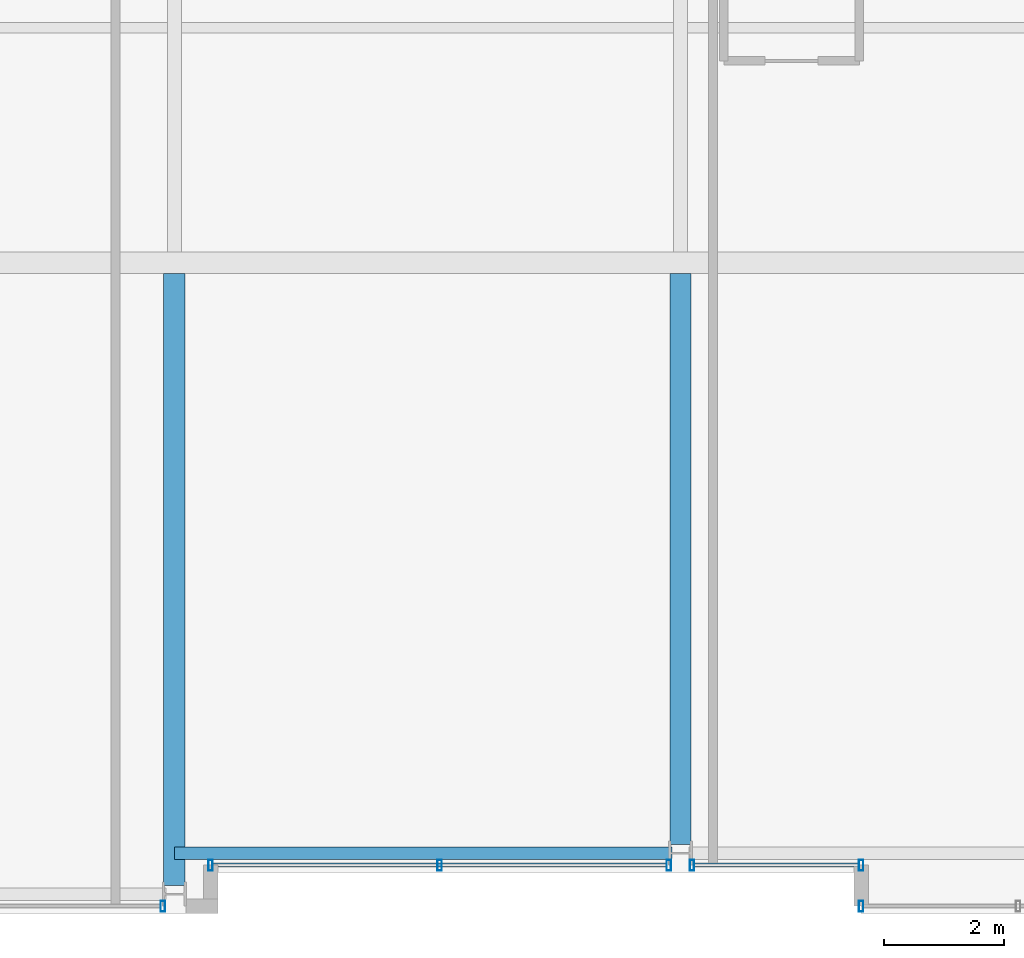
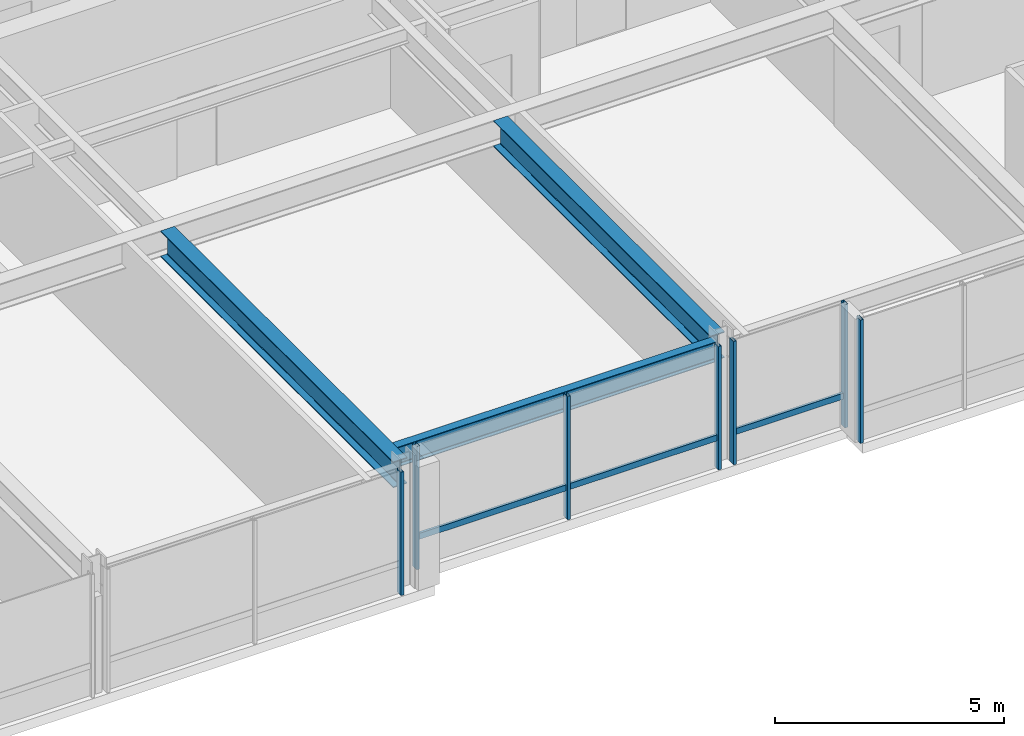
# One storey, part 5 of 31: 9 members, 3 beams, 4 elements without a shape of their own.
"""IFC4 building model written with IfcOpenShell, lengths in metres."""

import ifcopenshell
import ifcopenshell.guid

model = None  # the IFC model being written
_history = None  # IfcOwnerHistory: only IFC2X3 demands one
_inside = {}  # id of a spatial element -> (the spatial element, [elements in it])
_under = {}  # id of a project, library or spatial element -> (it, [spatial elements below it])
_declared = {}  # id of a project -> (the project, [libraries it declares])
_typed = {}  # id of a type object -> (the type object, [elements of that type])
_made_of = {}  # id of a material, layer set ... -> (it, [elements and type objects made of it])


def new_model(schema):
    """Start an empty IFC model of exactly this schema.

    Asked for "IFC4X3", IfcOpenShell would pick the latest addendum, in which some entities
    have other attributes; the version numbers below select the first issue.
    IFC2X3 requires an IfcOwnerHistory on every rooted entity: one is made here for all.
    """
    global model, _history
    if schema == "IFC4X3":
        model = ifcopenshell.file(schema_version=(4, 3, 0, 0))
    else:
        model = ifcopenshell.file(schema=schema)
    _inside.clear()
    _under.clear()
    _declared.clear()
    _typed.clear()
    _made_of.clear()
    _history = None
    if model.schema == "IFC2X3":
        org = make("IfcOrganization", Name="unknown")
        user = make(
            "IfcPersonAndOrganization",
            ThePerson=make("IfcPerson", FamilyName="unknown"),
            TheOrganization=org,
        )
        app = make(
            "IfcApplication",
            ApplicationDeveloper=org,
            Version="unknown",
            ApplicationFullName="unknown",
            ApplicationIdentifier="unknown",
        )
        _history = make(
            "IfcOwnerHistory",
            OwningUser=user,
            OwningApplication=app,
            ChangeAction="ADDED",
            CreationDate=0,
        )
    return model


def make(cls, **values):
    """One entity of the class cls with the attributes given. An attribute that is None is left unset."""
    return model.create_entity(
        cls, **{name: value for name, value in values.items() if value is not None}
    )


def rooted(cls, **values):
    """An entity with a GlobalId (a new one), such as an element, a storey or a relation."""
    return make(cls, GlobalId=ifcopenshell.guid.new(), OwnerHistory=_history, **values)


def si_unit(unit_type, name, prefix=None):
    """IfcSIUnit, for example si_unit("LENGTHUNIT", "METRE", prefix="MILLI")."""
    return make("IfcSIUnit", UnitType=unit_type, Prefix=prefix, Name=name)


def assignment(units):
    """IfcUnitAssignment: the units of a project."""
    return None if units is None else make("IfcUnitAssignment", Units=units)


def point(xyz):
    """IfcCartesianPoint."""
    return None if xyz is None else make("IfcCartesianPoint", Coordinates=xyz)


def direction(xyz):
    """IfcDirection."""
    return None if xyz is None else make("IfcDirection", DirectionRatios=xyz)


def frame(location, z_axis=None, x_axis=None):
    """IfcAxis2Placement3D, a coordinate frame: its origin and axes. An axis left out is left unset."""
    return make(
        "IfcAxis2Placement3D",
        Location=point(location),
        Axis=direction(z_axis),
        RefDirection=direction(x_axis),
    )


def frame_2d(location, x_axis=None):
    """IfcAxis2Placement2D, a coordinate frame in the plane: its origin and x axis."""
    return make(
        "IfcAxis2Placement2D", Location=point(location), RefDirection=direction(x_axis)
    )


def origin():
    """The frame at (0, 0, 0) with its axes left unset."""
    return frame((0.0, 0.0, 0.0))


def origin_2d():
    """The frame at (0, 0) in the plane with its x axis left unset."""
    return frame_2d((0.0, 0.0))


def place(relative_to, where):
    """IfcLocalPlacement: puts the frame where relative to a parent placement (None: the world)."""
    return make(
        "IfcLocalPlacement", PlacementRelTo=relative_to, RelativePlacement=where
    )


def context(
    kind, dimensions, precision=None, world=None, true_north=None, identifier=None
):
    """IfcGeometricRepresentationContext, for example the 3D "Model" context."""
    return make(
        "IfcGeometricRepresentationContext",
        ContextIdentifier=identifier,
        ContextType=kind,
        CoordinateSpaceDimension=dimensions,
        Precision=precision,
        WorldCoordinateSystem=world,
        TrueNorth=true_north,
    )


def subcontext(parent, identifier, kind, view, scale=None):
    """IfcGeometricRepresentationSubContext, for example "Body" below "Model"."""
    return make(
        "IfcGeometricRepresentationSubContext",
        ContextIdentifier=identifier,
        ContextType=kind,
        ParentContext=parent,
        TargetScale=scale,
        TargetView=view,
    )


def project(units=None, contexts=None):
    """IfcProject with its units and contexts."""
    return rooted(
        "IfcProject",
        Name="project",
        RepresentationContexts=contexts,
        UnitsInContext=assignment(units),
    )


def spatial(cls, under=None, at=None, **own):
    """A site, building, storey or space (cls), placed at a placement, below another one or the project."""
    s = rooted(cls, ObjectPlacement=at, **own)
    if under is not None:
        _under.setdefault(under.id(), (under, []))[1].append(s)
    return s


def profile(cls, at=None, kind="AREA", **sizes):
    """A parametric profile (cls). Its sizes go by their IFC names, for example OverallWidth=200.0."""
    return make(cls, ProfileType=kind, Position=at, **sizes)


def hollow_rectangle(**sizes):
    """IfcRectangleHollowProfileDef."""
    return profile("IfcRectangleHollowProfileDef", **sizes)


def i_section(**sizes):
    """IfcIShapeProfileDef."""
    return profile("IfcIShapeProfileDef", **sizes)


def extrude(swept, where, along, depth):
    """IfcExtrudedAreaSolid: the profile swept, set in the frame where, extruded along a direction by depth."""
    return make(
        "IfcExtrudedAreaSolid",
        SweptArea=swept,
        Position=where,
        ExtrudedDirection=direction(along),
        Depth=depth,
    )


def shape(context_of_items, identifier, shape_type, items):
    """IfcShapeRepresentation: the items that make up one representation, for example the "Body"."""
    return make(
        "IfcShapeRepresentation",
        ContextOfItems=context_of_items,
        RepresentationIdentifier=identifier,
        RepresentationType=shape_type,
        Items=items,
    )


def material(Name=None, Category=None):
    """IfcMaterial."""
    return make("IfcMaterial", Name=Name, Category=Category)


def layer(
    of_material, thickness, ventilated=None, Name=None, Category=None, Priority=None
):
    """IfcMaterialLayer: one layer of a wall or slab, of a material (None: an air gap)."""
    return make(
        "IfcMaterialLayer",
        Material=of_material,
        LayerThickness=thickness,
        IsVentilated=ventilated,
        Name=Name,
        Category=Category,
        Priority=Priority,
    )


def layer_set(layers, Name=None):
    """IfcMaterialLayerSet."""
    return make("IfcMaterialLayerSet", MaterialLayers=layers, LayerSetName=Name)


def material_profile(
    of_material, cross_section, Name=None, Category=None, Priority=None
):
    """IfcMaterialProfile: a cross section and its material."""
    return make(
        "IfcMaterialProfile",
        Name=Name,
        Material=of_material,
        Profile=cross_section,
        Priority=Priority,
        Category=Category,
    )


def profile_set(profiles, Name=None, composite=None):
    """IfcMaterialProfileSet."""
    return make(
        "IfcMaterialProfileSet",
        Name=Name,
        MaterialProfiles=profiles,
        CompositeProfile=composite,
    )


def made_of(thing, what):
    """Note that an element or type object is made of a material, layer set ...; save() writes the relation."""
    if what is not None:
        _made_of.setdefault(what.id(), (what, []))[1].append(thing)
    return thing


def type_object(cls, material=None, **own):
    """A type object (cls), such as IfcWallType, which elements share."""
    return made_of(rooted(cls, **own), material)


def element(
    cls,
    number,
    at=None,
    inside=None,
    cuts=None,
    type_object=None,
    material=None,
    context=None,
    identifier="Body",
    shape_type=None,
    held_by="IfcProductDefinitionShape",
    body=None,
    shapes=None,
    **own,
):
    """One element of the class cls, such as IfcWall. Its Tag is "e" and its number.

    at: its placement. inside: the storey or other place that contains it. cuts: it is an
    opening in that element (IfcRelVoidsElement). A single representation is given by context,
    identifier, shape_type and body (its items); several are given by shapes. held_by: the class
    of the entity that holds the representations. save() writes the other relations.
    """
    e = rooted(cls, Tag="e%d" % number, ObjectPlacement=at, **own)
    if body is not None:
        shapes = [shape(context, identifier, shape_type, body)]
    if shapes is not None:
        e.Representation = make(held_by, Representations=shapes)
    if inside is not None:
        _inside.setdefault(inside.id(), (inside, []))[1].append(e)
    if cuts is not None:
        rooted(
            "IfcRelVoidsElement", RelatingBuildingElement=cuts, RelatedOpeningElement=e
        )
    if type_object is not None:
        _typed.setdefault(type_object.id(), (type_object, []))[1].append(e)
    return made_of(e, material)


def aggregate(whole, parts):
    """IfcRelAggregates: a whole, such as a stair, and the parts it consists of."""
    return rooted("IfcRelAggregates", RelatingObject=whole, RelatedObjects=parts)


def save(model, path):
    """Write the relations noted so far, then the file.

    IfcRelAggregates (storeys below a building ...), IfcRelContainedInSpatialStructure (elements
    in a storey), IfcRelDefinesByType, IfcRelAssociatesMaterial and IfcRelDeclares: one each for
    every whole, place, type object, material and project.
    """
    for whole, parts in _under.values():
        aggregate(whole, parts)
    for where, things in _inside.values():
        rooted(
            "IfcRelContainedInSpatialStructure",
            RelatedElements=things,
            RelatingStructure=where,
        )
    for kind, things in _typed.values():
        rooted("IfcRelDefinesByType", RelatedObjects=things, RelatingType=kind)
    for what, things in _made_of.values():
        rooted("IfcRelAssociatesMaterial", RelatedObjects=things, RelatingMaterial=what)
    for by, libraries in _declared.values():
        rooted("IfcRelDeclares", RelatingContext=by, RelatedDefinitions=libraries)
    model.write(path)


model = new_model("IFC4")

# Units and contexts
model_context = context("Model", 3, precision=1e-05, world=origin(), true_north=direction((0.0, 1.0)))
body_context = subcontext(model_context, "Body", "Model", "MODEL_VIEW")
ifc_project = project(units=[si_unit("LENGTHUNIT", "METRE"), si_unit("AREAUNIT", "SQUARE_METRE"), si_unit("VOLUMEUNIT", "CUBIC_METRE"), si_unit("PLANEANGLEUNIT", "RADIAN"), si_unit("MASSUNIT", "GRAM", prefix="KILO")], contexts=[model_context])

# Site, building, storey
site_placement = place(None, origin())
site = spatial("IfcSite", under=ifc_project, at=site_placement, CompositionType="ELEMENT")
building_placement = place(site_placement, origin())
building = spatial("IfcBuilding", under=site, at=building_placement, Name="Drelvath Grand Hotel", CompositionType="ELEMENT")
storey_placement = place(building_placement, frame((0.0, 0.0, 185.89990234375)))
storey = spatial("IfcBuildingStorey", under=building, at=storey_placement, Name="L48", CompositionType="ELEMENT", Elevation=185.89990234375)

# Curtain wall, member
ifc_material_1 = material(Name="Brushed Pale-Silver Anodised Aluminium Frame", Category="aluminium")
ifc_layer = layer(ifc_material_1, 0.199951171875)
ifc_layer_set = layer_set([ifc_layer], Name="Brushed Pale-Silver Anodised Aluminium Frame")
curtain_wall_type = type_object("IfcCurtainWallType", Name="Stick Curtain Wall CW-04 Brushed Silver Upper-Mid", PredefinedType="NOTDEFINED", material=ifc_layer_set)
curtain_wall_1_placement = place(storey_placement, origin())
curtain_wall_1 = element("IfcCurtainWall", 1, at=curtain_wall_1_placement, inside=storey, type_object=curtain_wall_type, Name="L48 CW-04 Curtain Wall CW04-L48-SM1", PredefinedType="NOTDEFINED")
ifc_material_profile_1 = material_profile(ifc_material_1, hollow_rectangle(XDim=0.06494140625, YDim=0.159912109375, WallThickness=0.00390625, at=origin_2d()), Name="HSS160X65X4")
ifc_profile_set_1 = profile_set([ifc_material_profile_1], Name="Brushed Pale-Silver Anodised Aluminium Frame")
member_type_1 = type_object("IfcMemberType", Name="Curtain Wall Horizontal Transom CW-04 HSS160X65X4", PredefinedType="USERDEFINED", material=ifc_profile_set_1)
member_1_placement = place(storey_placement, frame((-0.231689453125, 0.800048828125, 0.822509765625), z_axis=(-1.0, 0.0, 0.0), x_axis=(0.0, -1.0, 0.0)))
member_1 = element("IfcMember", 2, at=member_1_placement, type_object=member_type_1, Name="CW04-L48-SM1 Sill Transom", ObjectType="TRANSOM", PredefinedType="USERDEFINED", context=body_context, shape_type="SweptSolid", body=[
    extrude(hollow_rectangle(XDim=0.06494140625, YDim=0.159912109375, WallThickness=0.00390625, at=origin_2d()), origin(), (0.0, 0.0, 1.0), 7.5283203125),
])

curtain_wall_2_placement = place(storey_placement, origin())
curtain_wall_2 = element("IfcCurtainWall", 3, at=curtain_wall_2_placement, inside=storey, type_object=curtain_wall_type, Name="L48 CW-04 Curtain Wall CW04-L48-SM2", PredefinedType="NOTDEFINED")
member_2_placement = place(storey_placement, frame((2.9599609375, 0.800048828125, 0.822509765625), z_axis=(-1.0, 0.0, 0.0), x_axis=(0.0, -1.0, 0.0)))
member_2 = element("IfcMember", 4, at=member_2_placement, type_object=member_type_1, Name="CW04-L48-SM2 Sill Transom", ObjectType="TRANSOM", PredefinedType="USERDEFINED", context=body_context, shape_type="SweptSolid", body=[
    extrude(hollow_rectangle(XDim=0.06494140625, YDim=0.159912109375, WallThickness=0.00390625, at=origin_2d()), origin(), (0.0, 0.0, 1.0), 2.728271484375),
])

curtain_wall_3_placement = place(storey_placement, origin())
curtain_wall_3 = element("IfcCurtainWall", 5, at=curtain_wall_3_placement, inside=storey, type_object=curtain_wall_type, Name="L48 CW-04 Curtain Wall CW04-L48-SE1", PredefinedType="NOTDEFINED")
ifc_material_profile_2 = material_profile(ifc_material_1, hollow_rectangle(XDim=0.074951171875, YDim=0.179931640625, WallThickness=0.0048828125, at=origin_2d()), Name="HSS180X75X5")
ifc_profile_set_2 = profile_set([ifc_material_profile_2], Name="Brushed Pale-Silver Anodised Aluminium Frame")
member_type_2 = type_object("IfcMemberType", Name="Curtain Wall Vertical Mullion CW-04 HSS180X75X5", PredefinedType="MULLION", material=ifc_profile_set_2)
member_3_placement = place(storey_placement, frame((3.0, 0.1201171875, 0.0), z_axis=(0.0, 0.0, 1.0), x_axis=(1.0, 0.0, 0.0)))
member_3 = element("IfcMember", 6, at=member_3_placement, type_object=member_type_2, Name="CW04-L48-SE1 Mullion 3", PredefinedType="MULLION", context=body_context, shape_type="SweptSolid", body=[
    extrude(hollow_rectangle(XDim=0.074951171875, YDim=0.179931640625, WallThickness=0.0048828125, at=origin_2d()), origin(), (0.0, 0.0, 1.0), 3.2900390625),
])
aggregate(curtain_wall_3, [member_3])

# Member
member_4_placement = place(storey_placement, frame((-0.191650390625, 0.800048828125, 0.0), z_axis=(0.0, 0.0, 1.0), x_axis=(1.0, 0.0, 0.0)))
member_4 = element("IfcMember", 7, at=member_4_placement, type_object=member_type_2, Name="CW04-L48-SM1 Mullion 1", PredefinedType="MULLION", context=body_context, shape_type="SweptSolid", body=[
    extrude(hollow_rectangle(XDim=0.074951171875, YDim=0.179931640625, WallThickness=0.0048828125, at=origin_2d()), origin(), (0.0, 0.0, 1.0), 3.2900390625),
])

member_5_placement = place(storey_placement, frame((-3.995849609375, 0.800048828125, 0.0), z_axis=(0.0, 0.0, 1.0), x_axis=(1.0, 0.0, 0.0)))
member_5 = element("IfcMember", 8, at=member_5_placement, type_object=member_type_2, Name="CW04-L48-SM1 Mullion 2", PredefinedType="MULLION", context=body_context, shape_type="SweptSolid", body=[
    extrude(hollow_rectangle(XDim=0.074951171875, YDim=0.179931640625, WallThickness=0.0048828125, at=origin_2d()), origin(), (0.0, 0.0, 1.0), 3.2900390625),
])

member_6_placement = place(storey_placement, frame((-7.800048828125, 0.800048828125, 0.0), z_axis=(0.0, 0.0, 1.0), x_axis=(1.0, 0.0, 0.0)))
member_6 = element("IfcMember", 9, at=member_6_placement, type_object=member_type_2, Name="CW04-L48-SM1 Mullion 3", PredefinedType="MULLION", context=body_context, shape_type="SweptSolid", body=[
    extrude(hollow_rectangle(XDim=0.074951171875, YDim=0.179931640625, WallThickness=0.0048828125, at=origin_2d()), origin(), (0.0, 0.0, 1.0), 3.2900390625),
])

aggregate(curtain_wall_1, [member_4, member_5, member_6, member_1])

member_7_placement = place(storey_placement, frame((3.0, 0.800048828125, 0.0), z_axis=(0.0, 0.0, 1.0), x_axis=(1.0, 0.0, 0.0)))
member_7 = element("IfcMember", 10, at=member_7_placement, type_object=member_type_2, Name="CW04-L48-SM2 Mullion 1", PredefinedType="MULLION", context=body_context, shape_type="SweptSolid", body=[
    extrude(hollow_rectangle(XDim=0.074951171875, YDim=0.179931640625, WallThickness=0.0048828125, at=origin_2d()), origin(), (0.0, 0.0, 1.0), 3.2900390625),
])

member_8_placement = place(storey_placement, frame((0.191650390625, 0.800048828125, 0.0), z_axis=(0.0, 0.0, 1.0), x_axis=(1.0, 0.0, 0.0)))
member_8 = element("IfcMember", 11, at=member_8_placement, type_object=member_type_2, Name="CW04-L48-SM2 Mullion 2", PredefinedType="MULLION", context=body_context, shape_type="SweptSolid", body=[
    extrude(hollow_rectangle(XDim=0.074951171875, YDim=0.179931640625, WallThickness=0.0048828125, at=origin_2d()), origin(), (0.0, 0.0, 1.0), 3.2900390625),
])

aggregate(curtain_wall_2, [member_7, member_8, member_2])

# Curtain wall, member
curtain_wall_4_placement = place(storey_placement, origin())
curtain_wall_4 = element("IfcCurtainWall", 12, at=curtain_wall_4_placement, inside=storey, type_object=curtain_wall_type, Name="L48 CW-04 Curtain Wall CW04-L48-SW2", PredefinedType="NOTDEFINED")
member_9_placement = place(storey_placement, frame((-8.591796875, 0.1201171875, 0.0), z_axis=(0.0, 0.0, 1.0), x_axis=(1.0, 0.0, 0.0)))
member_9 = element("IfcMember", 13, at=member_9_placement, type_object=member_type_2, Name="CW04-L48-SW2 Mullion 1", PredefinedType="MULLION", context=body_context, shape_type="SweptSolid", body=[
    extrude(hollow_rectangle(XDim=0.074951171875, YDim=0.179931640625, WallThickness=0.0048828125, at=origin_2d()), origin(), (0.0, 0.0, 1.0), 3.2900390625),
])
aggregate(curtain_wall_4, [member_9])

# Beams
ifc_material_2 = material(Name="Steel ASTM A992 Gr 50", Category="steel")
ifc_material_profile_3 = material_profile(ifc_material_2, i_section(OverallWidth=0.210205078125, OverallDepth=0.53662109375, WebThickness=0.010986328125, FlangeThickness=0.017333984375, FilletRadius=0.01806640625, at=origin_2d()), Name="W21X68")
ifc_profile_set_3 = profile_set([ifc_material_profile_3], Name="Steel ASTM A992 Gr 50")
beam_type_1 = type_object("IfcBeamType", Name="Perimeter Spandrel Beam W21X68", PredefinedType="SPANDREL", material=ifc_profile_set_3)
beam_1_placement = place(storey_placement, frame((-8.39990234375, 1.0, 3.021728515625), z_axis=(1.0, 0.0, 0.0), x_axis=(0.0, 1.0, 0.0)))
element("IfcBeam", 14, at=beam_1_placement, inside=storey, type_object=beam_type_1, Name="L48 Spandrel South Mid W", PredefinedType="SPANDREL", context=body_context, shape_type="SweptSolid", body=[
    extrude(i_section(OverallWidth=0.210205078125, OverallDepth=0.53662109375, WebThickness=0.010986328125, FlangeThickness=0.017333984375, FilletRadius=0.01806640625, at=origin_2d()), origin(), (0.0, 0.0, 1.0), 8.260009765625),
])
ifc_material_profile_4 = material_profile(ifc_material_2, i_section(OverallWidth=0.354736328125, OverallDepth=0.695556640625, WebThickness=0.015380859375, FlangeThickness=0.025146484375, FilletRadius=0.02392578125, at=origin_2d()), Name="W27X146")
ifc_profile_set_4 = profile_set([ifc_material_profile_4], Name="Steel ASTM A992 Gr 50")
beam_type_2 = type_object("IfcBeamType", Name="Primary Floor Girder W27X146", PredefinedType="BEAM", material=ifc_profile_set_4)
beam_2_placement = place(storey_placement, frame((-8.39990234375, 0.4599609375, 2.9423828125), z_axis=(0.0, 1.0, 0.0), x_axis=(-1.0, 0.0, 0.0)))
element("IfcBeam", 15, at=beam_2_placement, inside=storey, type_object=beam_type_2, Name="L48 South Wing Girder 4", PredefinedType="BEAM", context=body_context, shape_type="SweptSolid", body=[
    extrude(i_section(OverallWidth=0.354736328125, OverallDepth=0.695556640625, WebThickness=0.015380859375, FlangeThickness=0.025146484375, FilletRadius=0.02392578125, at=origin_2d()), origin(), (0.0, 0.0, 1.0), 10.16259765625),
])
beam_3_placement = place(storey_placement, frame((0.0, 1.139892578125, 2.9423828125), z_axis=(0.0, 1.0, 0.0), x_axis=(-1.0, 0.0, 0.0)))
element("IfcBeam", 16, at=beam_3_placement, inside=storey, type_object=beam_type_2, Name="L48 South Wing Girder 5", PredefinedType="BEAM", context=body_context, shape_type="SweptSolid", body=[
    extrude(i_section(OverallWidth=0.354736328125, OverallDepth=0.695556640625, WebThickness=0.015380859375, FlangeThickness=0.025146484375, FilletRadius=0.02392578125, at=origin_2d()), origin(), (0.0, 0.0, 1.0), 9.482666015625),
])

save(model, "model.ifc")
